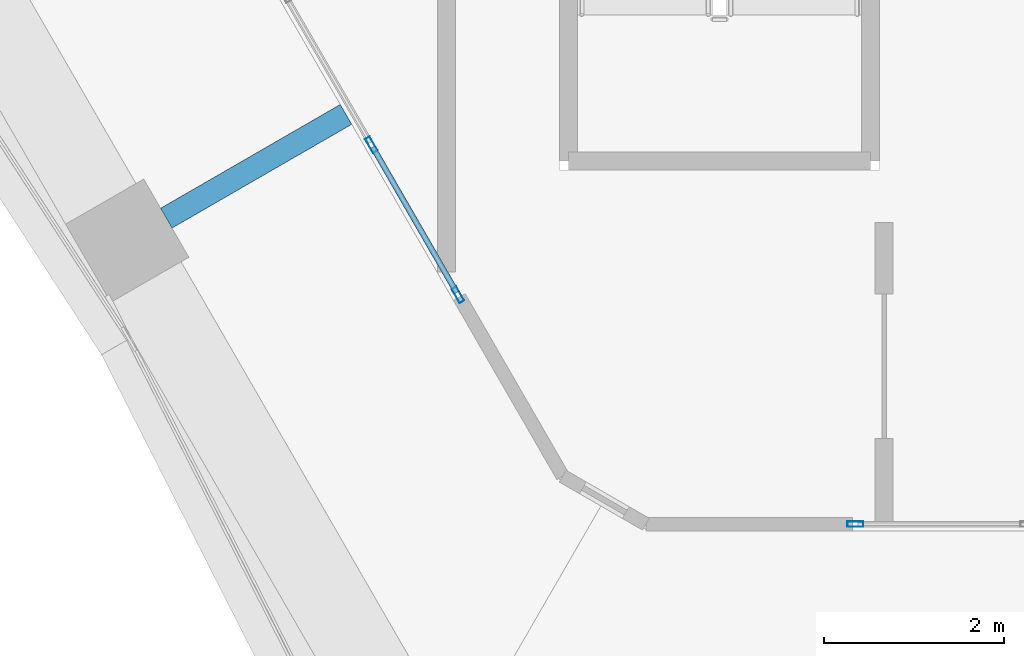
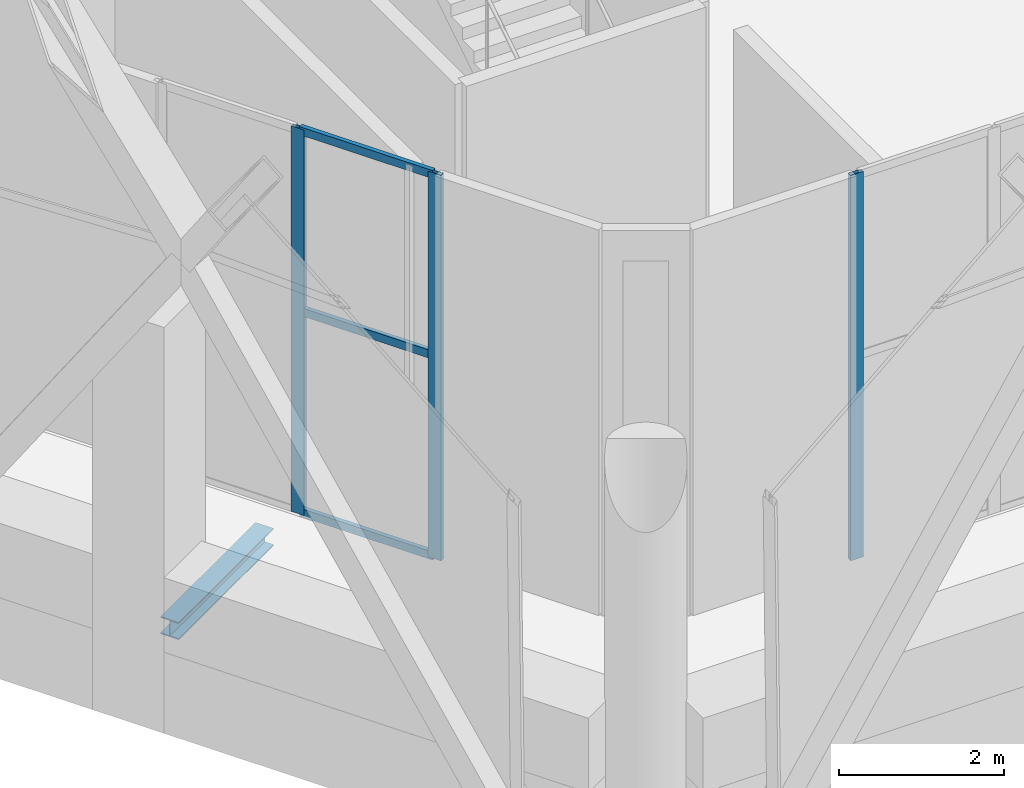
# One storey, part 3 of 43: 6 members, 1 beam, 2 elements without a shape of their own.
"""IFC4 building model written with IfcOpenShell, lengths in metres."""

from ifc_helpers import new_model, si_unit, direction, frame, origin, origin_2d, place, context, subcontext, project, spatial, hollow_rectangle, i_section, extrude, material, material_profile, profile_set, type_object, element, aggregate, save


model = new_model("IFC4")

# Units and contexts
model_context = context("Model", 3, precision=1e-05, world=origin(), true_north=direction((0.0, 1.0)))
body_context = subcontext(model_context, "Body", "Model", "MODEL_VIEW")
ifc_project = project(units=[si_unit("LENGTHUNIT", "METRE"), si_unit("AREAUNIT", "SQUARE_METRE"), si_unit("VOLUMEUNIT", "CUBIC_METRE"), si_unit("PLANEANGLEUNIT", "RADIAN"), si_unit("MASSUNIT", "GRAM", prefix="KILO")], contexts=[model_context])

# Site, building, storey
site_placement = place(None, origin())
site = spatial("IfcSite", under=ifc_project, at=site_placement, CompositionType="ELEMENT")
building_placement = place(site_placement, origin())
building = spatial("IfcBuilding", under=site, at=building_placement, Name="Ostrander Bayou Hotel Tower", CompositionType="ELEMENT")
storey_placement = place(building_placement, frame((0.0, 0.0, 151.0)))
storey = spatial("IfcBuildingStorey", under=building, at=storey_placement, Name="L37", CompositionType="ELEMENT", Elevation=151.0)

# Curtain wall, members
ifc_material_1 = material(Name="Aluminium and clear glass", Category="aluminium")
curtain_wall_type = type_object("IfcCurtainWallType", Name="CW-SKY amenity glass wall", PredefinedType="NOTDEFINED", material=ifc_material_1)
curtain_wall_1_placement = place(storey_placement, origin())
curtain_wall_1 = element("IfcCurtainWall", 1, at=curtain_wall_1_placement, inside=storey, type_object=curtain_wall_type, Name="CW-SKY L37 SW 3", PredefinedType="NOTDEFINED")
ifc_material_2 = material(Name="Aluminium", Category="aluminium")
ifc_material_profile_1 = material_profile(ifc_material_2, hollow_rectangle(XDim=0.06005859375, YDim=0.179931640625, WallThickness=0.00390625, at=origin_2d()))
ifc_profile_set_1 = profile_set([ifc_material_profile_1], Name="Aluminium")
member_type_1 = type_object("IfcMemberType", Name="CW-SK mullion 60 x 180 mm", PredefinedType="MULLION", material=ifc_profile_set_1)
member_1_placement = place(storey_placement, frame((-11.33349609375, -11.219970703125, 0.0), z_axis=(0.0, 0.0, 1.0), x_axis=(0.866025463091, 0.499999897278, 0.0)))
member_1 = element("IfcMember", 2, at=member_1_placement, type_object=member_type_1, Name="CW-SKY mullion 2", PredefinedType="MULLION", context=body_context, shape_type="SweptSolid", body=[
    extrude(hollow_rectangle(XDim=0.06005859375, YDim=0.179931640625, WallThickness=0.00390625, at=origin_2d()), origin(), (0.0, 0.0, 1.0), 5.699951171875),
])
member_2_placement = place(storey_placement, frame((-10.373291015625, -12.8828125, 0.0), z_axis=(0.0, 0.0, 1.0), x_axis=(0.866025463091, 0.499999897278, 0.0)))
member_2 = element("IfcMember", 3, at=member_2_placement, type_object=member_type_1, Name="CW-SKY mullion 3", PredefinedType="MULLION", context=body_context, shape_type="SweptSolid", body=[
    extrude(hollow_rectangle(XDim=0.06005859375, YDim=0.179931640625, WallThickness=0.00390625, at=origin_2d()), origin(), (0.0, 0.0, 1.0), 5.699951171875),
])

# Curtain wall, member
curtain_wall_2_placement = place(storey_placement, origin())
curtain_wall_2 = element("IfcCurtainWall", 4, at=curtain_wall_2_placement, inside=storey, type_object=curtain_wall_type, Name="CW-SKY L37 S 1", PredefinedType="NOTDEFINED")
member_3_placement = place(storey_placement, frame((-5.969970703125, -15.425048828125, 0.0), z_axis=(0.0, 0.0, 1.0), x_axis=(0.0, 1.0, 0.0)))
member_3 = element("IfcMember", 5, at=member_3_placement, type_object=member_type_1, Name="CW-SKY mullion 1", PredefinedType="MULLION", context=body_context, shape_type="SweptSolid", body=[
    extrude(hollow_rectangle(XDim=0.06005859375, YDim=0.179931640625, WallThickness=0.00390625, at=origin_2d()), origin(), (0.0, 0.0, 1.0), 5.699951171875),
])
aggregate(curtain_wall_2, [member_3])

# Member
ifc_material_3 = material(Name="Aluminium", Category="aluminium")
ifc_material_profile_2 = material_profile(ifc_material_3, hollow_rectangle(XDim=0.06005859375, YDim=0.1201171875, WallThickness=0.00390625, at=origin_2d()))
ifc_profile_set_2 = profile_set([ifc_material_profile_2], Name="Aluminium")
member_type_2 = type_object("IfcMemberType", Name="CW-SK transom 60 x 120 mm", PredefinedType="USERDEFINED", material=ifc_profile_set_2)
member_4_placement = place(storey_placement, frame((-11.318359375, -11.245849609375, 0.030029296875), z_axis=(0.499964847546, -0.866045698112, 0.0), x_axis=(0.866045698112, 0.499964847546, 0.0)))
member_4 = element("IfcMember", 6, at=member_4_placement, type_object=member_type_2, Name="CW-SKY transom 2.1", ObjectType="TRANSOM", PredefinedType="USERDEFINED", context=body_context, shape_type="SweptSolid", body=[
    extrude(hollow_rectangle(XDim=0.06005859375, YDim=0.1201171875, WallThickness=0.00390625, at=origin_2d()), origin(), (0.0, 0.0, 1.0), 1.860107421875),
])

member_5_placement = place(storey_placement, frame((-11.318359375, -11.245849609375, 3.0), z_axis=(0.499964847546, -0.866045698112, 0.0), x_axis=(0.866045698112, 0.499964847546, 0.0)))
member_5 = element("IfcMember", 7, at=member_5_placement, type_object=member_type_2, Name="CW-SKY transom 2.2", ObjectType="TRANSOM", PredefinedType="USERDEFINED", context=body_context, shape_type="SweptSolid", body=[
    extrude(hollow_rectangle(XDim=0.06005859375, YDim=0.1201171875, WallThickness=0.00390625, at=origin_2d()), origin(), (0.0, 0.0, 1.0), 1.860107421875),
])

member_6_placement = place(storey_placement, frame((-11.318359375, -11.245849609375, 5.669921875), z_axis=(0.499964847546, -0.866045698112, 0.0), x_axis=(0.866045698112, 0.499964847546, 0.0)))
member_6 = element("IfcMember", 8, at=member_6_placement, type_object=member_type_2, Name="CW-SKY transom 2.3", ObjectType="TRANSOM", PredefinedType="USERDEFINED", context=body_context, shape_type="SweptSolid", body=[
    extrude(hollow_rectangle(XDim=0.06005859375, YDim=0.1201171875, WallThickness=0.00390625, at=origin_2d()), origin(), (0.0, 0.0, 1.0), 1.860107421875),
])

aggregate(curtain_wall_1, [member_1, member_2, member_4, member_5, member_6])

# Beam
ifc_material_4 = material(Name="Steel ASTM A992", Category="steel")
ifc_material_profile_3 = material_profile(ifc_material_4, i_section(OverallWidth=0.25390625, OverallDepth=0.25341796875, WebThickness=0.008544921875, FlangeThickness=0.01416015625, at=origin_2d()))
ifc_profile_set_3 = profile_set([ifc_material_profile_3], Name="Steel ASTM A992")
beam_type = type_object("IfcBeamType", Name="LB2 loggia bracket W10x49", PredefinedType="BEAM", material=ifc_profile_set_3)
beam_placement = place(storey_placement, frame((-13.606201171875, -12.033203125, -0.4267578125), z_axis=(0.86602648383, 0.499998129301, 0.0), x_axis=(-0.499998129301, 0.86602648383, 0.0)))
element("IfcBeam", 9, at=beam_placement, inside=storey, type_object=beam_type, Name="LB2 L37 SW2", PredefinedType="BEAM", context=body_context, shape_type="SweptSolid", body=[
    extrude(i_section(OverallWidth=0.25390625, OverallDepth=0.25341796875, WebThickness=0.008544921875, FlangeThickness=0.01416015625, at=origin_2d()), origin(), (0.0, 0.0, 1.0), 2.2998046875),
])

save(model, "model.ifc")
